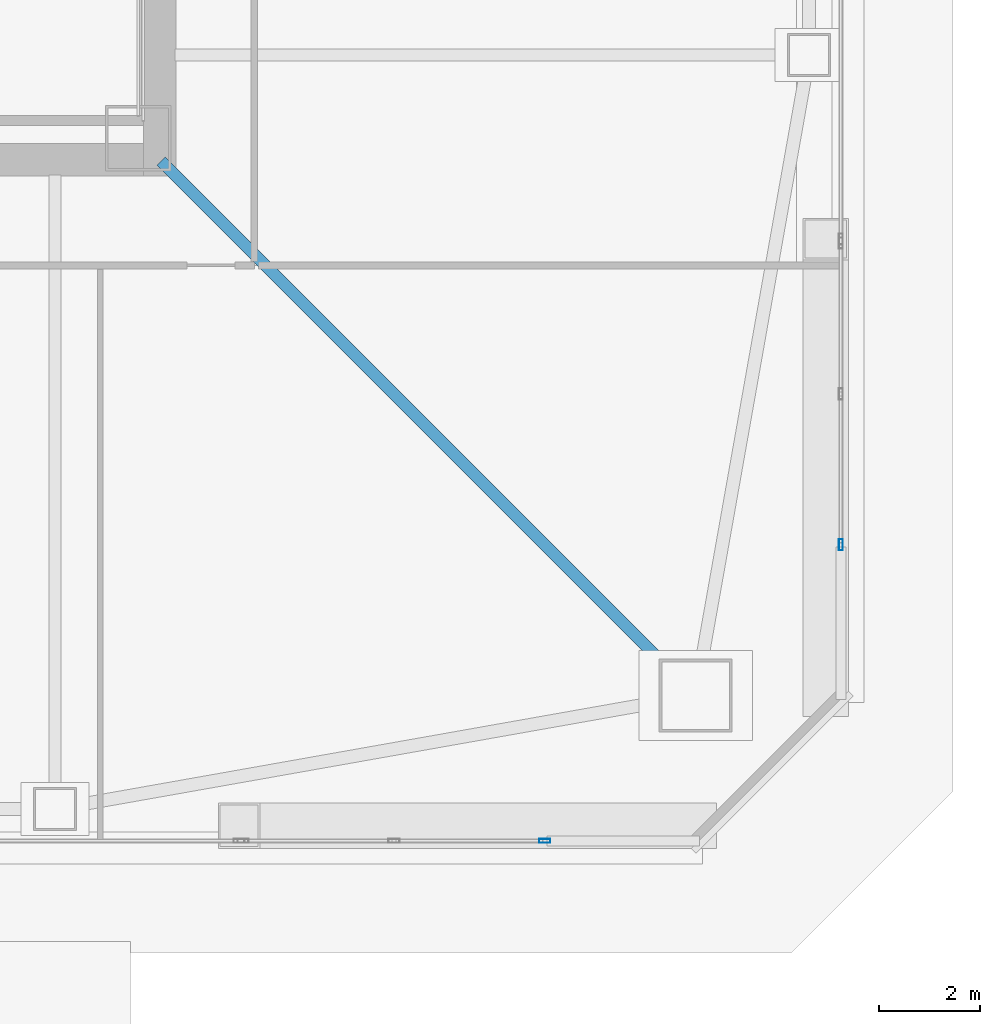
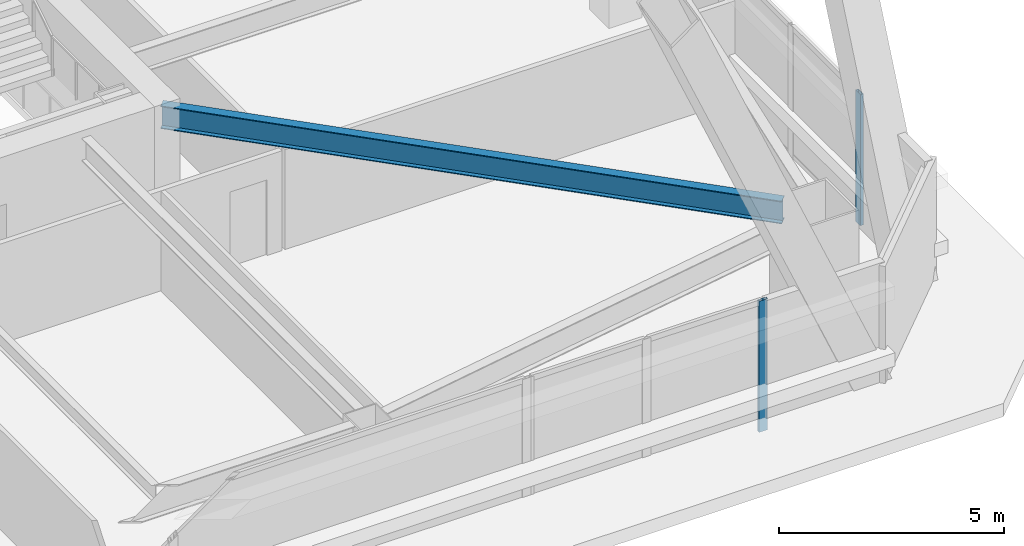
# One storey, part 14 of 67: 2 members, 1 beam, 2 elements without a shape of their own.
"""IFC4 building model written with IfcOpenShell, lengths in metres."""

from ifc_helpers import new_model, si_unit, direction, frame, origin, origin_2d, place, context, subcontext, project, spatial, hollow_rectangle, i_section, extrude, material, material_profile, profile_set, type_object, element, aggregate, save


model = new_model("IFC4")

# Units and contexts
model_context = context("Model", 3, precision=1e-05, world=origin(), true_north=direction((0.0, 1.0)))
body_context = subcontext(model_context, "Body", "Model", "MODEL_VIEW")
ifc_project = project(units=[si_unit("LENGTHUNIT", "METRE"), si_unit("AREAUNIT", "SQUARE_METRE"), si_unit("VOLUMEUNIT", "CUBIC_METRE"), si_unit("PLANEANGLEUNIT", "RADIAN"), si_unit("MASSUNIT", "GRAM", prefix="KILO")], contexts=[model_context])

# Site, building, storey
site_placement = place(None, origin())
site = spatial("IfcSite", under=ifc_project, at=site_placement, CompositionType="ELEMENT")
building_placement = place(site_placement, origin())
building = spatial("IfcBuilding", under=site, at=building_placement, Name="Tashvorn Skyway Center", CompositionType="ELEMENT")
storey_placement = place(building_placement, frame((0.0, 0.0, 67.199951171875)))
storey = spatial("IfcBuildingStorey", under=building, at=storey_placement, Name="L17", CompositionType="ELEMENT", Elevation=67.199951171875)

# Beam
ifc_material_1 = material(Name="Steel ASTM A992 Grade 50", Category="steel")
ifc_material_profile_1 = material_profile(ifc_material_1, i_section(OverallWidth=0.22998046875, OverallDepth=0.616943359375, WebThickness=0.01318359375, FlangeThickness=0.022216796875, at=origin_2d()), Name="W24X94")
ifc_profile_set_1 = profile_set([ifc_material_profile_1], Name="Steel ASTM A992 Grade 50")
beam_type = type_object("IfcBeamType", Name="BM-BEAM-W24X94", PredefinedType="BEAM", material=ifc_profile_set_1)
beam_placement = place(storey_placement, frame((59.5908203125, 14.4091796875, 3.04150390625), z_axis=(-0.707106781187, 0.707106781187, 0.0), x_axis=(-0.707106781187, -0.707106781187, 0.0)))
element("IfcBeam", 1, at=beam_placement, inside=storey, type_object=beam_type, Name="Tower 1 L17 Primary Floor Girder MC-SE", PredefinedType="BEAM", context=body_context, shape_type="SweptSolid", body=[
    extrude(i_section(OverallWidth=0.22998046875, OverallDepth=0.616943359375, WebThickness=0.01318359375, FlangeThickness=0.022216796875, at=origin_2d()), origin(), (0.0, 0.0, 1.0), 14.261962890625),
])

# Curtain wall, member
ifc_material_2 = material(Name="Thermally broken bronze-anodized aluminium 6063-T6", Category="aluminium")
curtain_wall_type = type_object("IfcCurtainWallType", Name="CW-CW-Z2", PredefinedType="NOTDEFINED", material=ifc_material_2)
curtain_wall_1_placement = place(storey_placement, origin())
curtain_wall_1 = element("IfcCurtainWall", 2, at=curtain_wall_1_placement, inside=storey, type_object=curtain_wall_type, Name="Tower 1 L17 South Unitised Curtain Wall Glazing Group 1", PredefinedType="NOTDEFINED")
ifc_material_profile_2 = material_profile(ifc_material_2, hollow_rectangle(XDim=0.080078125, YDim=0.219970703125, WallThickness=0.0048828125, at=origin_2d()), Name="ALU-MULL-80x220")
ifc_profile_set_2 = profile_set([ifc_material_profile_2], Name="Thermally broken bronze-anodized aluminium 6063-T6")
member_type = type_object("IfcMemberType", Name="CWM-CW-Z2", PredefinedType="MULLION", material=ifc_profile_set_2)
member_1_placement = place(storey_placement, frame((57.110107421875, 11.02001953125, 0.0), z_axis=(0.0, 0.0, 1.0), x_axis=(0.0, -1.0, 0.0)))
member_1 = element("IfcMember", 3, at=member_1_placement, type_object=member_type, Name="CW-Z2 mullion 1", PredefinedType="MULLION", context=body_context, shape_type="SweptSolid", body=[
    extrude(hollow_rectangle(XDim=0.080078125, YDim=0.219970703125, WallThickness=0.0048828125, at=origin_2d()), origin(), (0.0, 0.0, 1.0), 3.550048828125),
])
aggregate(curtain_wall_1, [member_1])

curtain_wall_2_placement = place(storey_placement, origin())
curtain_wall_2 = element("IfcCurtainWall", 4, at=curtain_wall_2_placement, inside=storey, type_object=curtain_wall_type, Name="Tower 1 L17 East Unitised Curtain Wall Glazing Group 3", PredefinedType="NOTDEFINED")
member_2_placement = place(storey_placement, frame((62.97998046875, 16.889892578125, 0.0), z_axis=(0.0, 0.0, 1.0), x_axis=(1.0, 0.0, 0.0)))
member_2 = element("IfcMember", 5, at=member_2_placement, type_object=member_type, Name="CW-Z2 mullion 3", PredefinedType="MULLION", context=body_context, shape_type="SweptSolid", body=[
    extrude(hollow_rectangle(XDim=0.080078125, YDim=0.219970703125, WallThickness=0.0048828125, at=origin_2d()), origin(), (0.0, 0.0, 1.0), 3.550048828125),
])
aggregate(curtain_wall_2, [member_2])

save(model, "model.ifc")
